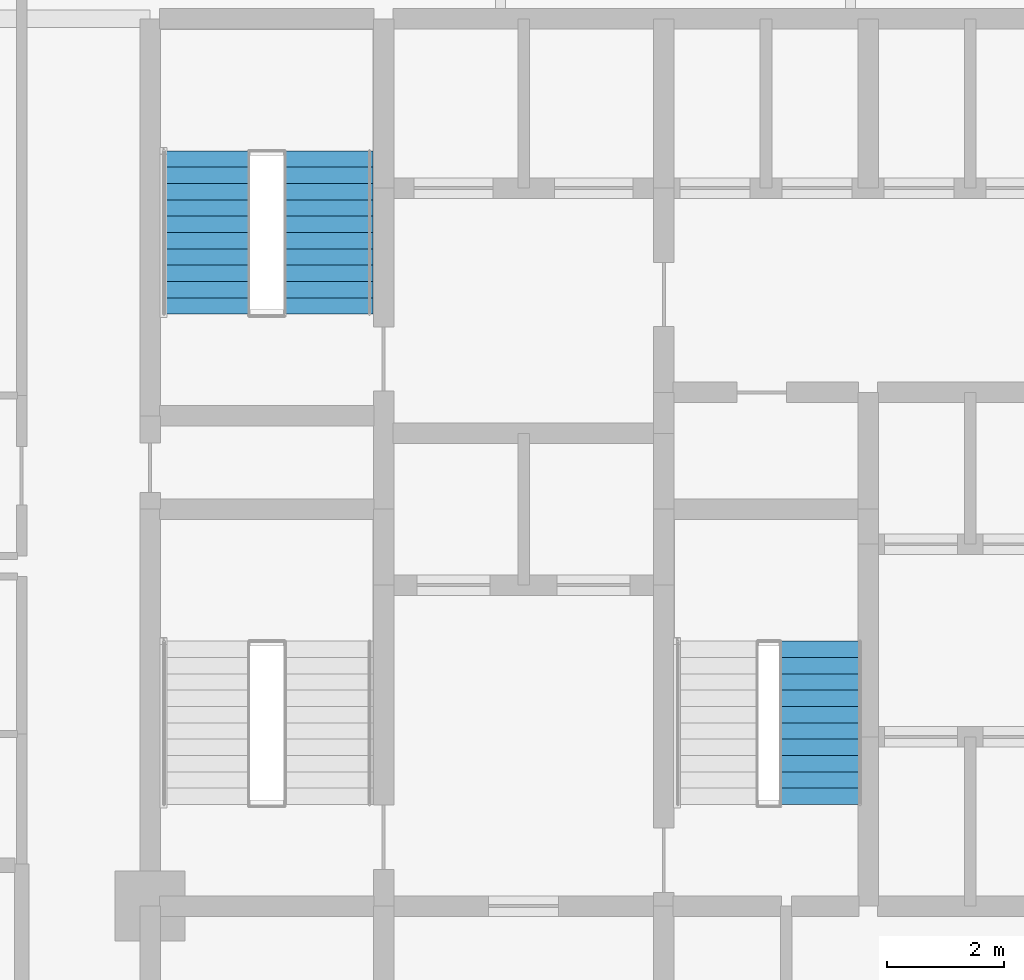
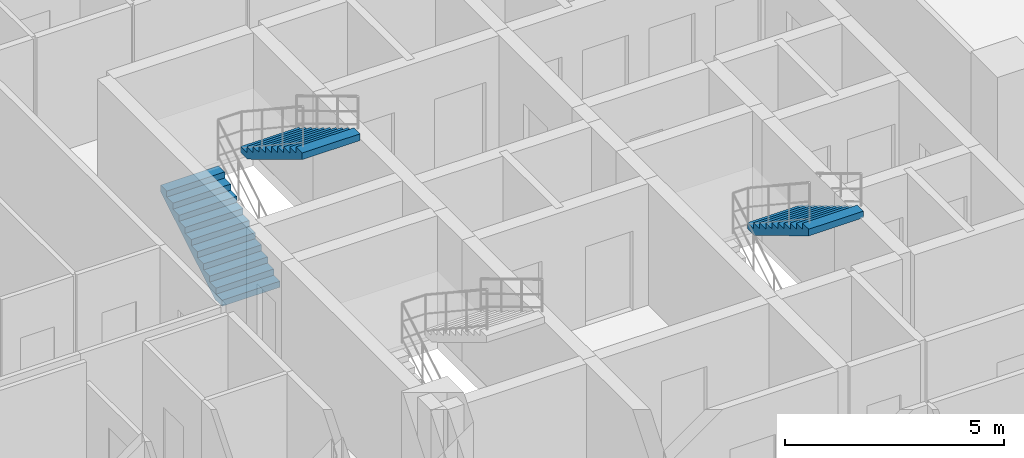
# One storey, part 32 of 34: 3 stair flights, 2 elements without a shape of their own.
"""IFC4 building model written with IfcOpenShell, lengths in metres."""

from ifc_helpers import new_model, si_unit, direction, frame, origin, place, context, subcontext, project, spatial, polyline, outline, extrude, material, type_object, element, aggregate, save


model = new_model("IFC4")

# Units and contexts
model_context = context("Model", 3, precision=1e-05, world=origin(), true_north=direction((0.0, 1.0)))
body_context = subcontext(model_context, "Body", "Model", "MODEL_VIEW")
ifc_project = project(units=[si_unit("LENGTHUNIT", "METRE"), si_unit("AREAUNIT", "SQUARE_METRE"), si_unit("VOLUMEUNIT", "CUBIC_METRE"), si_unit("PLANEANGLEUNIT", "RADIAN"), si_unit("MASSUNIT", "GRAM", prefix="KILO")], contexts=[model_context])

# Site, building, storey
site_placement = place(None, origin())
site = spatial("IfcSite", under=ifc_project, at=site_placement, CompositionType="ELEMENT")
building_placement = place(site_placement, origin())
building = spatial("IfcBuilding", under=site, at=building_placement, Name="Keshet Zoharim Tower", CompositionType="ELEMENT")
storey_placement = place(building_placement, frame((0.0, 0.0, 70.10009765625)))
storey = spatial("IfcBuildingStorey", under=building, at=storey_placement, Name="L16", CompositionType="ELEMENT", Elevation=70.10009765625)

# Stair, stair flights
ifc_material = material(Name="Concrete C50/60", Category="concrete")
stair_type = type_object("IfcStairType", Name="STR-EXIT-135", PredefinedType="HALF_TURN_STAIR", material=ifc_material)
stair_1_placement = place(storey_placement, origin())
stair_1 = element("IfcStair", 1, at=stair_1_placement, inside=storey, type_object=stair_type, Name="L16 Enclosed Exit Stair ST-02", PredefinedType="HALF_TURN_STAIR")
stair_flight_type_1 = type_object("IfcStairFlightType", Name="FLT-PRE-135", PredefinedType="STRAIGHT", material=ifc_material)
stair_flight_1_placement = place(storey_placement, frame((15.945068359375, 32.840087890625, 0.0), z_axis=(0.0, 0.0, 1.0), x_axis=(0.0, 1.0, 0.0)))
stair_flight_1 = element("IfcStairFlight", 2, at=stair_flight_1_placement, type_object=stair_flight_type_1, Name="ST-02 flight 1", NumberOfRisers=11, NumberOfTreads=10, PredefinedType="STRAIGHT", RiserHeight=0.168182, TreadLength=0.28, context=body_context, shape_type="SweptSolid", body=[
    extrude(outline(polyline([(0.0, 0.0), (0.0, 0.168212890625), (0.280029296875, 0.168212890625), (0.280029296875, 0.33642578125), (0.56005859375, 0.33642578125), (0.56005859375, 0.504638671875), (0.840087890625, 0.504638671875), (0.840087890625, 0.672607421875), (1.1201171875, 0.672607421875), (1.1201171875, 0.8408203125), (1.39990234375, 0.8408203125), (1.39990234375, 1.009033203125), (1.679931640625, 1.009033203125), (1.679931640625, 1.17724609375), (1.9599609375, 1.17724609375), (1.9599609375, 1.345458984375), (2.239990234375, 1.345458984375), (2.239990234375, 1.513671875), (2.52001953125, 1.513671875), (2.52001953125, 1.681884765625), (2.800048828125, 1.681884765625), (2.800048828125, 1.85009765625), (2.800048828125, 1.495361328125), (0.310546875, 0.0), (0.0, 0.0)])), frame((0.0, 0.76513671875, 0.0), z_axis=(0.0, -1.0, 0.0), x_axis=(1.0, 0.0, 0.0)), (0.0, 0.0, 1.0), 1.530029296875),
])
stair_flight_2_placement = place(storey_placement, frame((18.054931640625, 35.639892578125, 1.849853515625), z_axis=(0.0, 0.0, 1.0), x_axis=(0.0, -1.0, 0.0)))
stair_flight_2 = element("IfcStairFlight", 3, at=stair_flight_2_placement, type_object=stair_flight_type_1, Name="ST-02 flight 2", NumberOfRisers=11, NumberOfTreads=10, PredefinedType="STRAIGHT", RiserHeight=0.168182, TreadLength=0.28, context=body_context, shape_type="SweptSolid", body=[
    extrude(outline(polyline([(0.0, 0.0), (0.0, 0.168212890625), (0.280029296875, 0.168212890625), (0.280029296875, 0.33642578125), (0.56005859375, 0.33642578125), (0.56005859375, 0.504638671875), (0.840087890625, 0.504638671875), (0.840087890625, 0.672607421875), (1.1201171875, 0.672607421875), (1.1201171875, 0.8408203125), (1.39990234375, 0.8408203125), (1.39990234375, 1.009033203125), (1.679931640625, 1.009033203125), (1.679931640625, 1.17724609375), (1.9599609375, 1.17724609375), (1.9599609375, 1.345458984375), (2.239990234375, 1.345458984375), (2.239990234375, 1.513671875), (2.52001953125, 1.513671875), (2.52001953125, 1.681884765625), (2.800048828125, 1.681884765625), (2.800048828125, 1.85009765625), (2.800048828125, 1.495361328125), (0.310546875, 0.0), (0.0, 0.0)])), frame((0.0, 0.76513671875, 0.0), z_axis=(0.0, -1.0, 0.0), x_axis=(1.0, 0.0, 0.0)), (0.0, 0.0, 1.0), 1.530029296875),
])
aggregate(stair_1, [stair_flight_1, stair_flight_2])

# Stair, stair flight
stair_2_placement = place(storey_placement, origin())
stair_2 = element("IfcStair", 4, at=stair_2_placement, inside=storey, type_object=stair_type, Name="L16 Enclosed Exit Stair ST-03", PredefinedType="HALF_TURN_STAIR")
stair_flight_type_2 = type_object("IfcStairFlightType", Name="FLT-PRE-144", PredefinedType="STRAIGHT", material=ifc_material)
stair_flight_3_placement = place(storey_placement, frame((26.5, 27.239990234375, 1.849853515625), z_axis=(0.0, 0.0, 1.0), x_axis=(0.0, -1.0, 0.0)))
stair_flight_3 = element("IfcStairFlight", 5, at=stair_flight_3_placement, type_object=stair_flight_type_2, Name="ST-03 flight 2", NumberOfRisers=11, NumberOfTreads=10, PredefinedType="STRAIGHT", RiserHeight=0.168182, TreadLength=0.28, context=body_context, shape_type="SweptSolid", body=[
    extrude(outline(polyline([(0.0, 0.0), (0.0, 0.168212890625), (0.280029296875, 0.168212890625), (0.280029296875, 0.33642578125), (0.56005859375, 0.33642578125), (0.56005859375, 0.504638671875), (0.840087890625, 0.504638671875), (0.840087890625, 0.672607421875), (1.1201171875, 0.672607421875), (1.1201171875, 0.8408203125), (1.39990234375, 0.8408203125), (1.39990234375, 1.009033203125), (1.679931640625, 1.009033203125), (1.679931640625, 1.17724609375), (1.9599609375, 1.17724609375), (1.9599609375, 1.345458984375), (2.239990234375, 1.345458984375), (2.239990234375, 1.513671875), (2.52001953125, 1.513671875), (2.52001953125, 1.681884765625), (2.800048828125, 1.681884765625), (2.800048828125, 1.85009765625), (2.800048828125, 1.495361328125), (0.310546875, 0.0), (0.0, 0.0)])), frame((0.0, 0.719970703125, 0.0), z_axis=(0.0, -1.0, 0.0), x_axis=(1.0, 0.0, 0.0)), (0.0, 0.0, 1.0), 1.43994140625),
])
aggregate(stair_2, [stair_flight_3])

save(model, "model.ifc")
